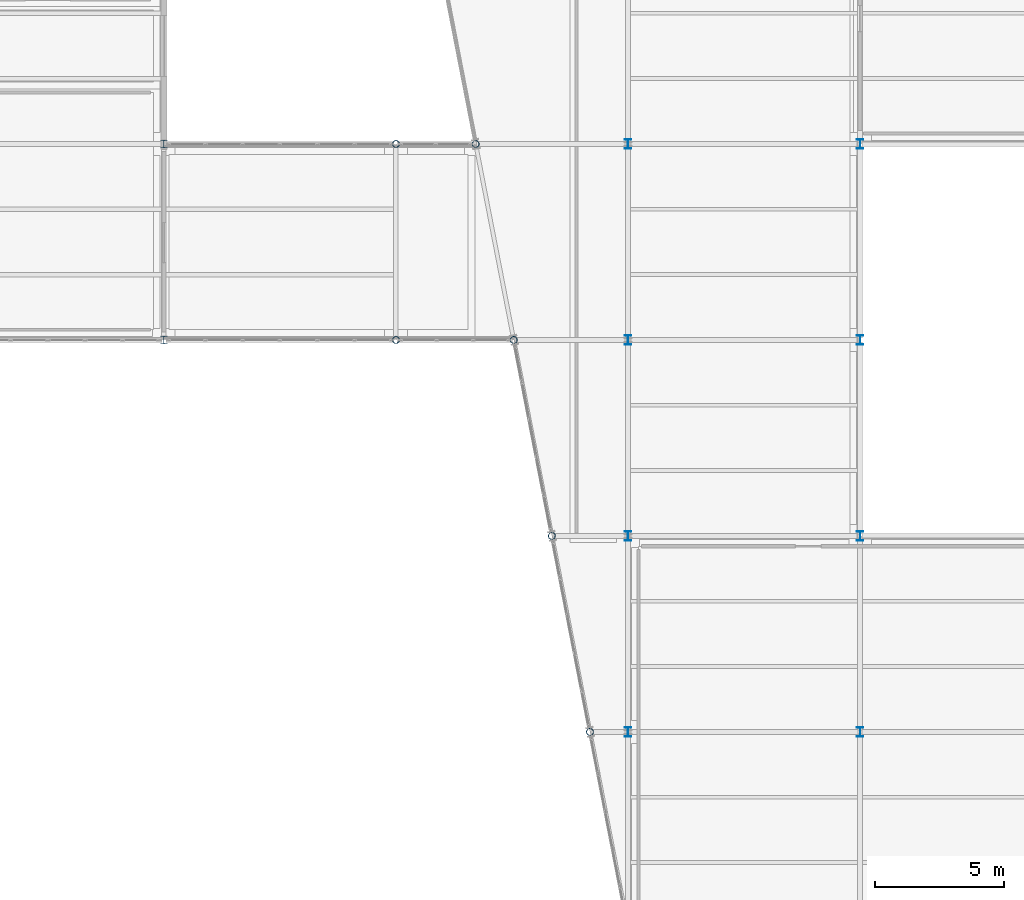
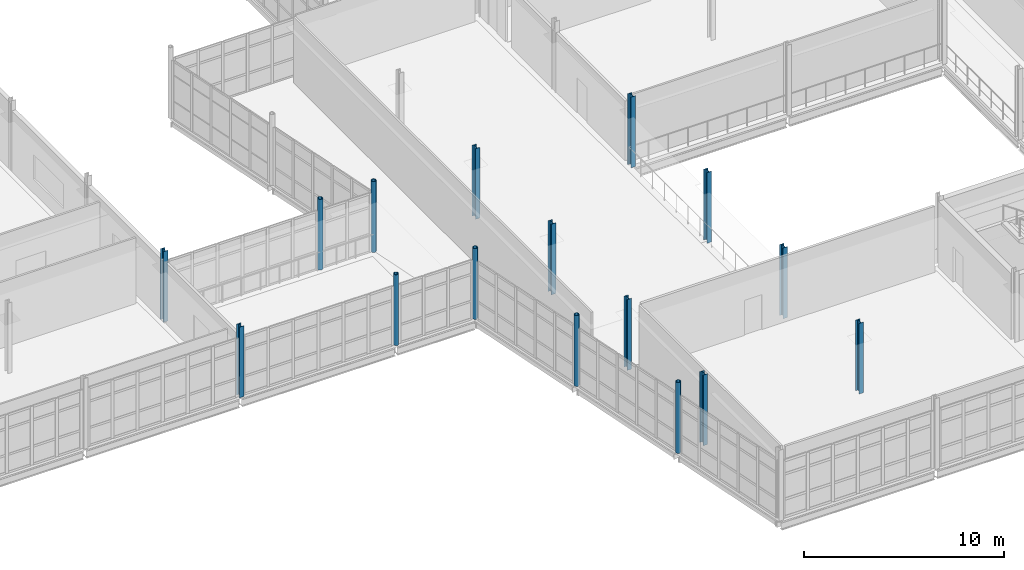
# One storey, part 19 of 174: 16 columns.
"""IFC4 building model written with IfcOpenShell, lengths in metres."""

from ifc_helpers import new_model, si_unit, direction, frame, origin, origin_2d, place, context, subcontext, project, spatial, hollow_circle, i_section, extrude, material, material_profile, profile_set, type_object, element, save


model = new_model("IFC4")

# Units and contexts
model_context = context("Model", 3, precision=1e-05, world=origin(), true_north=direction((0.0, 1.0)))
body_context = subcontext(model_context, "Body", "Model", "MODEL_VIEW")
ifc_project = project(units=[si_unit("LENGTHUNIT", "METRE"), si_unit("AREAUNIT", "SQUARE_METRE"), si_unit("VOLUMEUNIT", "CUBIC_METRE"), si_unit("PLANEANGLEUNIT", "RADIAN"), si_unit("MASSUNIT", "GRAM", prefix="KILO")], contexts=[model_context])

# Site, building, storey
site_placement = place(None, origin())
site = spatial("IfcSite", under=ifc_project, at=site_placement, CompositionType="ELEMENT")
building_placement = place(site_placement, origin())
building = spatial("IfcBuilding", under=site, at=building_placement, Name="Caisbarro Railhouse Central Library", CompositionType="ELEMENT")
storey_placement = place(building_placement, frame((0.0, 0.0, 5.0400390625)))
storey = spatial("IfcBuildingStorey", under=building, at=storey_placement, Name="L01", CompositionType="ELEMENT", Elevation=5.0400390625)

# Columns
ifc_material = material(Name="Steel ASTM A572 Grade 50", Category="steel")
ifc_material_profile_1 = material_profile(ifc_material, i_section(OverallWidth=0.25390625, OverallDepth=0.35302734375, WebThickness=0.009521484375, FlangeThickness=0.016357421875, FilletRadius=0.014892578125, at=origin_2d()), Name="W360X91.0")
ifc_profile_set_1 = profile_set([ifc_material_profile_1], Name="Steel ASTM A572 Grade 50")
column_type_1 = type_object("IfcColumnType", Name="COL-C05", PredefinedType="COLUMN", material=ifc_profile_set_1)
for number, where, z_axis, x_axis, name in (
    (1, (117.0, 68.39990234375, 0.0), (0.0, 0.0, 1.0), (1.0, 0.0, 0.0), "C05 column L01 (117.0,68.4)"),
    (2, (117.0, 76.0, 0.0), (0.0, 0.0, 1.0), (1.0, 0.0, 0.0), "C05 column L01 (117.0,76.0)"),
    (3, (117.0, 83.60009765625, 0.0), (0.0, 0.0, 1.0), (1.0, 0.0, 0.0), "C05 column L01 (117.0,83.6)"),
    (4, (117.0, 91.199951171875, 0.0), (0.0, 0.0, 1.0), (1.0, 0.0, 0.0), "C05 column L01 (117.0,91.2)"),
    (5, (126.0, 68.39990234375, 0.0), (0.0, 0.0, 1.0), (1.0, 0.0, 0.0), "C05 column L01 (126.0,68.4)"),
    (6, (126.0, 76.0, 0.0), (0.0, 0.0, 1.0), (1.0, 0.0, 0.0), "C05 column L01 (126.0,76.0)"),
    (7, (126.0, 83.60009765625, 0.0), (0.0, 0.0, 1.0), (1.0, 0.0, 0.0), "C05 column L01 (126.0,83.6)"),
    (8, (126.0, 91.199951171875, 0.0), (0.0, 0.0, 1.0), (1.0, 0.0, 0.0), "C05 column L01 (126.0,91.2)"),
):
    element("IfcColumn", number, at=place(storey_placement, frame(where, z_axis=z_axis, x_axis=x_axis)), inside=storey, type_object=column_type_1, Name=name, PredefinedType="COLUMN", context=body_context, shape_type="SweptSolid", body=[
        extrude(i_section(OverallWidth=0.25390625, OverallDepth=0.35302734375, WebThickness=0.009521484375, FlangeThickness=0.016357421875, FilletRadius=0.014892578125, at=origin_2d()), origin(), (0.0, 0.0, 1.0), 4.320068359375),
    ])
ifc_material_profile_2 = material_profile(ifc_material, i_section(OverallWidth=0.25390625, OverallDepth=0.305908203125, WebThickness=0.0087890625, FlangeThickness=0.0146484375, FilletRadius=0.014892578125, at=origin_2d()), Name="W310X79.0")
ifc_profile_set_2 = profile_set([ifc_material_profile_2], Name="Steel ASTM A572 Grade 50")
column_type_2 = type_object("IfcColumnType", Name="COL-C07", PredefinedType="COLUMN", material=ifc_profile_set_2)
for number, where, z_axis, x_axis, name in (
    (9, (99.0, 83.60009765625, 0.0), (0.0, 0.0, 1.0), (1.0, 0.0, 0.0), "C07 column L01 (99.0,83.6)"),
    (10, (99.0, 91.199951171875, 0.0), (0.0, 0.0, 1.0), (1.0, 0.0, 0.0), "C07 column L01 (99.0,91.2)"),
):
    element("IfcColumn", number, at=place(storey_placement, frame(where, z_axis=z_axis, x_axis=x_axis)), inside=storey, type_object=column_type_2, Name=name, PredefinedType="COLUMN", context=body_context, shape_type="SweptSolid", body=[
        extrude(i_section(OverallWidth=0.25390625, OverallDepth=0.305908203125, WebThickness=0.0087890625, FlangeThickness=0.0146484375, FilletRadius=0.014892578125, at=origin_2d()), origin(), (0.0, 0.0, 1.0), 4.320068359375),
    ])
ifc_material_profile_3 = material_profile(ifc_material, hollow_circle(Radius=0.136474609375, WallThickness=0.012451171875, at=origin_2d()), Name="CHS273.0X12.5")
ifc_profile_set_3 = profile_set([ifc_material_profile_3], Name="Steel ASTM A572 Grade 50")
column_type_3 = type_object("IfcColumnType", Name="COL-C12", PredefinedType="COLUMN", material=ifc_profile_set_3)
for number, where, z_axis, x_axis, name in (
    (11, (108.0, 83.60009765625, 0.0), (0.0, 0.0, 1.0), (1.0, 0.0, 0.0), "C12 column L01 (108.0,83.6)"),
    (12, (108.0, 91.199951171875, 0.0), (0.0, 0.0, 1.0), (1.0, 0.0, 0.0), "C12 column L01 (108.0,91.2)"),
    (13, (111.091064453125, 91.199951171875, 0.0), (0.0, 0.0, 1.0), (0.981627183448, 0.190808995377, 0.0), "C12 column L01 (111.1,91.2)"),
    (14, (112.568115234375, 83.60009765625, 0.0), (0.0, 0.0, 1.0), (0.981627183448, 0.190808995377, 0.0), "C12 column L01 (112.6,83.6)"),
    (15, (114.044921875, 76.0, 0.0), (0.0, 0.0, 1.0), (0.981627183448, 0.190808995377, 0.0), "C12 column L01 (114.0,76.0)"),
    (16, (115.52294921875, 68.39990234375, 0.0), (0.0, 0.0, 1.0), (0.981627183448, 0.190808995377, 0.0), "C12 column L01 (115.5,68.4)"),
):
    element("IfcColumn", number, at=place(storey_placement, frame(where, z_axis=z_axis, x_axis=x_axis)), inside=storey, type_object=column_type_3, Name=name, PredefinedType="COLUMN", context=body_context, shape_type="SweptSolid", body=[
        extrude(hollow_circle(Radius=0.136474609375, WallThickness=0.012451171875, at=origin_2d()), origin(), (0.0, 0.0, 1.0), 4.320068359375),
    ])

save(model, "model.ifc")
